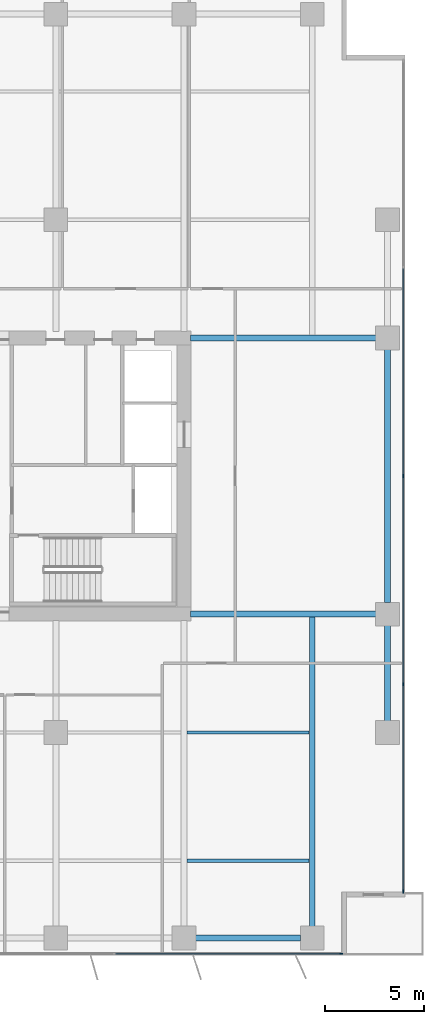
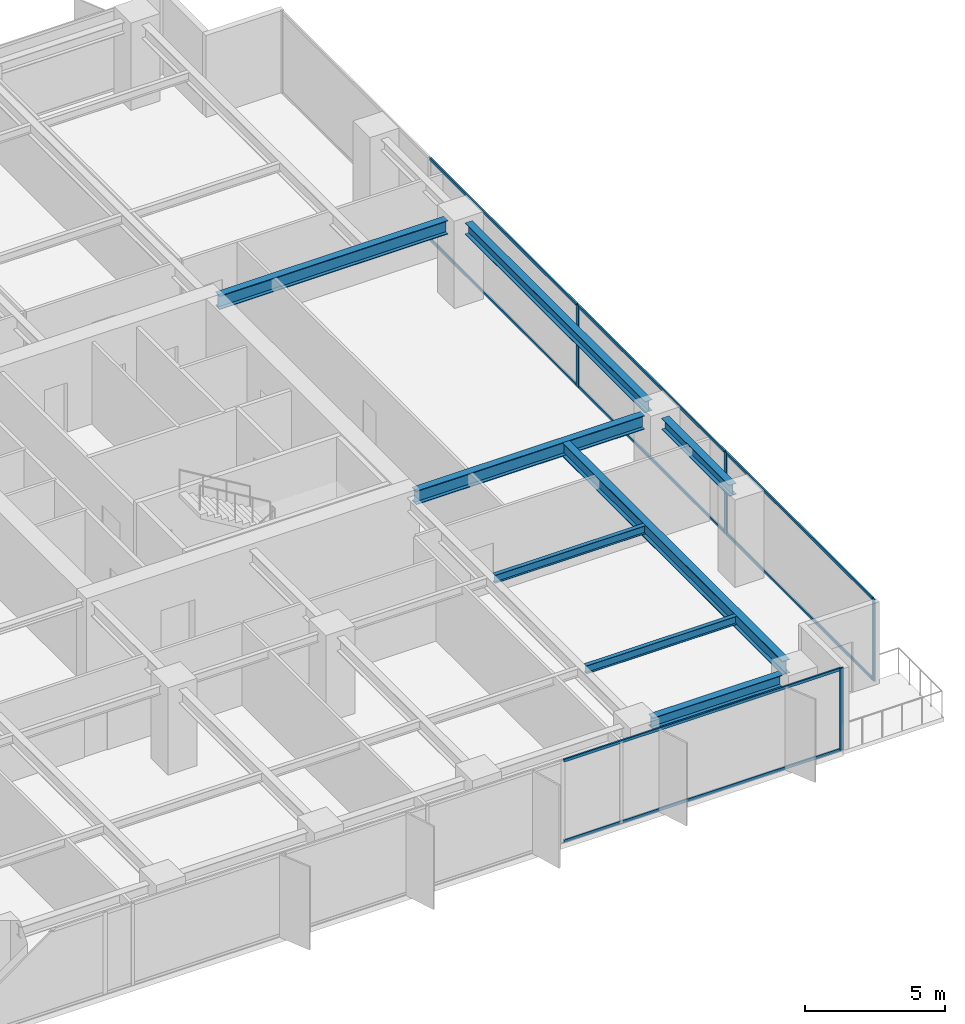
# One storey, part 10 of 20: 12 members, 8 beams, 2 elements without a shape of their own.
"""IFC4 building model written with IfcOpenShell, lengths in metres."""

from ifc_helpers import new_model, si_unit, direction, frame, origin, origin_2d, place, context, subcontext, project, spatial, rectangle, i_section, extrude, material, layer, layer_set, material_profile, profile_set, type_object, element, aggregate, save


model = new_model("IFC4")

# Units and contexts
model_context = context("Model", 3, precision=1e-05, world=origin(), true_north=direction((0.0, 1.0)))
body_context = subcontext(model_context, "Body", "Model", "MODEL_VIEW")
ifc_project = project(units=[si_unit("LENGTHUNIT", "METRE"), si_unit("AREAUNIT", "SQUARE_METRE"), si_unit("VOLUMEUNIT", "CUBIC_METRE"), si_unit("PLANEANGLEUNIT", "RADIAN"), si_unit("MASSUNIT", "GRAM", prefix="KILO")], contexts=[model_context])

# Site, building, storey
site_placement = place(None, origin())
site = spatial("IfcSite", under=ifc_project, at=site_placement, CompositionType="ELEMENT")
building_placement = place(site_placement, origin())
building = spatial("IfcBuilding", under=site, at=building_placement, Name="Putna Gate Headquarters", CompositionType="ELEMENT")
storey_placement = place(building_placement, frame((0.0, 0.0, 120.199951171875)))
storey = spatial("IfcBuildingStorey", under=building, at=storey_placement, Name="L29", CompositionType="ELEMENT", Elevation=120.199951171875)

# Beams
ifc_material_1 = material(Name="Steel S355J2", Category="steel")
ifc_material_profile_1 = material_profile(ifc_material_1, i_section(OverallWidth=0.300048828125, OverallDepth=0.60009765625, WebThickness=0.015380859375, FlangeThickness=0.030029296875, at=origin_2d()), Name="Steel S355J2")
ifc_profile_set_1 = profile_set([ifc_material_profile_1], Name="Steel S355J2")
beam_type_1 = type_object("IfcBeamType", Name="BM-GIRD-Z2-HEB600", PredefinedType="USERDEFINED", material=ifc_profile_set_1)
for number, where, z_axis, x_axis, name in (
    (1, (65.3349609375, 19.0, 3.26513671875), (1.0, 0.0, 0.0), (0.0, 1.0, 0.0), "L29 East Wing Girder Y19"),
    (2, (65.3349609375, 33.0, 3.26513671875), (1.0, 0.0, 0.0), (0.0, 1.0, 0.0), "L29 East Wing Girder Y33"),
):
    element("IfcBeam", number, at=place(storey_placement, frame(where, z_axis=z_axis, x_axis=x_axis)), inside=storey, type_object=beam_type_1, Name=name, ObjectType="GIRDER", PredefinedType="USERDEFINED", context=body_context, shape_type="SweptSolid", body=[
        extrude(i_section(OverallWidth=0.300048828125, OverallDepth=0.60009765625, WebThickness=0.015380859375, FlangeThickness=0.030029296875, at=origin_2d()), origin(), (0.0, 0.0, 1.0), 9.39697265625),
    ])
beam_1_placement = place(storey_placement, frame((71.5, 3.16796875, 3.26513671875), z_axis=(0.0, 1.0, 0.0), x_axis=(-1.0, 0.0, 0.0)))
element("IfcBeam", 3, at=beam_1_placement, inside=storey, type_object=beam_type_1, Name="L29 South Primary Girder X71", ObjectType="GIRDER", PredefinedType="USERDEFINED", context=body_context, shape_type="SweptSolid", body=[
    extrude(i_section(OverallWidth=0.300048828125, OverallDepth=0.60009765625, WebThickness=0.015380859375, FlangeThickness=0.030029296875, at=origin_2d()), origin(), (0.0, 0.0, 1.0), 15.820068359375),
])
ifc_material_profile_2 = material_profile(ifc_material_1, i_section(OverallWidth=0.169921875, OverallDepth=0.360107421875, WebThickness=0.008056640625, FlangeThickness=0.0126953125, at=origin_2d()), Name="Steel S355J2")
ifc_profile_set_2 = profile_set([ifc_material_profile_2], Name="Steel S355J2")
beam_type_2 = type_object("IfcBeamType", Name="BM-SEC-Z2-IPE360", PredefinedType="BEAM", material=ifc_profile_set_2)
for number, where, z_axis, x_axis, name in (
    (4, (65.154052734375, 6.5, 3.385009765625), (1.0, 0.0, 0.0), (0.0, 1.0, 0.0), "L29 South Secondary Beam 10"),
    (5, (65.154052734375, 13.0, 3.385009765625), (1.0, 0.0, 0.0), (0.0, 1.0, 0.0), "L29 South Secondary Beam 10"),
):
    element("IfcBeam", number, at=place(storey_placement, frame(where, z_axis=z_axis, x_axis=x_axis)), inside=storey, type_object=beam_type_2, Name=name, PredefinedType="BEAM", context=body_context, shape_type="SweptSolid", body=[
        extrude(i_section(OverallWidth=0.169921875, OverallDepth=0.360107421875, WebThickness=0.008056640625, FlangeThickness=0.0126953125, at=origin_2d()), origin(), (0.0, 0.0, 1.0), 6.19189453125),
    ])
ifc_material_profile_3 = material_profile(ifc_material_1, i_section(OverallWidth=0.300048828125, OverallDepth=0.489990234375, WebThickness=0.011962890625, FlangeThickness=0.02294921875, at=origin_2d()), Name="Steel S355J2")
ifc_profile_set_3 = profile_set([ifc_material_profile_3], Name="Steel S355J2")
beam_type_3 = type_object("IfcBeamType", Name="BM-SPAN-Z2-HEA500", PredefinedType="SPANDREL", material=ifc_profile_set_3)
beam_2_placement = place(storey_placement, frame((65.587890625, 2.580078125, 3.320068359375), z_axis=(1.0, 0.0, 0.0), x_axis=(0.0, 1.0, 0.0)))
element("IfcBeam", 6, at=beam_2_placement, inside=storey, type_object=beam_type_3, Name="L29 S Perimeter Spandrel 10", PredefinedType="SPANDREL", context=body_context, shape_type="SweptSolid", body=[
    extrude(i_section(OverallWidth=0.300048828125, OverallDepth=0.489990234375, WebThickness=0.011962890625, FlangeThickness=0.02294921875, at=origin_2d()), origin(), (0.0, 0.0, 1.0), 5.32421875),
])
beam_3_placement = place(storey_placement, frame((75.320068359375, 13.587890625, 3.320068359375), z_axis=(0.0, 1.0, 0.0), x_axis=(-1.0, 0.0, 0.0)))
element("IfcBeam", 7, at=beam_3_placement, inside=storey, type_object=beam_type_3, Name="L29 E End Spandrel 1", PredefinedType="SPANDREL", context=body_context, shape_type="SweptSolid", body=[
    extrude(i_section(OverallWidth=0.300048828125, OverallDepth=0.489990234375, WebThickness=0.011962890625, FlangeThickness=0.02294921875, at=origin_2d()), origin(), (0.0, 0.0, 1.0), 4.82421875),
])
beam_4_placement = place(storey_placement, frame((75.320068359375, 19.587890625, 3.320068359375), z_axis=(0.0, 1.0, 0.0), x_axis=(-1.0, 0.0, 0.0)))
element("IfcBeam", 8, at=beam_4_placement, inside=storey, type_object=beam_type_3, Name="L29 E End Spandrel 2", PredefinedType="SPANDREL", context=body_context, shape_type="SweptSolid", body=[
    extrude(i_section(OverallWidth=0.300048828125, OverallDepth=0.489990234375, WebThickness=0.011962890625, FlangeThickness=0.02294921875, at=origin_2d()), origin(), (0.0, 0.0, 1.0), 12.82421875),
])

# Curtain wall, member
ifc_material_2 = material(Name="Anodised bronze aluminium curtain wall", Category="aluminium")
ifc_layer = layer(ifc_material_2, 0.159912109375)
ifc_layer_set = layer_set([ifc_layer], Name="Anodised bronze aluminium curtain wall")
curtain_wall_type = type_object("IfcCurtainWallType", Name="CW-SYS-Z2", PredefinedType="USERDEFINED", material=ifc_layer_set)
curtain_wall_1_placement = place(storey_placement, origin())
curtain_wall_1 = element("IfcCurtainWall", 9, at=curtain_wall_1_placement, inside=storey, type_object=curtain_wall_type, Name="L29 South East Curtain Wall", ObjectType="STICK CURTAIN WALL", PredefinedType="USERDEFINED")
ifc_material_3 = material(Name="Anodised bronze aluminium EN AW-6060", Category="aluminium")
ifc_material_profile_4 = material_profile(ifc_material_3, rectangle(XDim=0.06494140625, YDim=0.159912109375, at=origin_2d()), Name="Anodised bronze aluminium EN AW-6060")
ifc_profile_set_4 = profile_set([ifc_material_profile_4], Name="Anodised bronze aluminium EN AW-6060")
member_type_1 = type_object("IfcMemberType", Name="MULL-CWM-2", PredefinedType="MULLION", material=ifc_profile_set_4)
member_1_placement = place(storey_placement, frame((72.967529296875, 1.780029296875, 0.0), z_axis=(0.0, 0.0, 1.0), x_axis=(0.0, 1.0, 0.0)))
member_1 = element("IfcMember", 10, at=member_1_placement, type_object=member_type_1, Name="CWS-2 mullion 3", PredefinedType="MULLION", context=body_context, shape_type="SweptSolid", body=[
    extrude(rectangle(XDim=0.06494140625, YDim=0.159912109375, at=origin_2d()), origin(), (0.0, 0.0, 1.0), 3.56494140625),
])

# Curtain wall, members
curtain_wall_2_placement = place(storey_placement, origin())
curtain_wall_2 = element("IfcCurtainWall", 11, at=curtain_wall_2_placement, inside=storey, type_object=curtain_wall_type, Name="L29 East Curtain Wall", ObjectType="STICK CURTAIN WALL", PredefinedType="USERDEFINED")
member_2_placement = place(storey_placement, frame((76.1201171875, 4.9326171875, 0.0), z_axis=(0.0, 0.0, 1.0), x_axis=(-1.0, 0.0, 0.0)))
member_2 = element("IfcMember", 12, at=member_2_placement, type_object=member_type_1, Name="CWS-2 mullion 1", PredefinedType="MULLION", context=body_context, shape_type="SweptSolid", body=[
    extrude(rectangle(XDim=0.06494140625, YDim=0.159912109375, at=origin_2d()), origin(), (0.0, 0.0, 1.0), 3.56494140625),
])
member_3_placement = place(storey_placement, frame((76.1201171875, 15.449951171875, 0.0), z_axis=(0.0, 0.0, 1.0), x_axis=(-1.0, 0.0, 0.0)))
member_3 = element("IfcMember", 13, at=member_3_placement, type_object=member_type_1, Name="CWS-2 mullion 2", PredefinedType="MULLION", context=body_context, shape_type="SweptSolid", body=[
    extrude(rectangle(XDim=0.06494140625, YDim=0.159912109375, at=origin_2d()), origin(), (0.0, 0.0, 1.0), 3.56494140625),
])
member_4_placement = place(storey_placement, frame((76.1201171875, 26.0, 0.0), z_axis=(0.0, 0.0, 1.0), x_axis=(-1.0, 0.0, 0.0)))
member_4 = element("IfcMember", 14, at=member_4_placement, type_object=member_type_1, Name="CWS-2 mullion 3", PredefinedType="MULLION", context=body_context, shape_type="SweptSolid", body=[
    extrude(rectangle(XDim=0.06494140625, YDim=0.159912109375, at=origin_2d()), origin(), (0.0, 0.0, 1.0), 3.56494140625),
])

# Member
ifc_material_profile_5 = material_profile(ifc_material_3, rectangle(XDim=0.06494140625, YDim=0.1201171875, at=origin_2d()), Name="Anodised bronze aluminium EN AW-6060")
ifc_profile_set_5 = profile_set([ifc_material_profile_5], Name="Anodised bronze aluminium EN AW-6060")
member_type_2 = type_object("IfcMemberType", Name="TRAN-CWT-2", PredefinedType="USERDEFINED", material=ifc_profile_set_5)
member_5_placement = place(storey_placement, frame((61.532470703125, 1.780029296875, 0.032470703125), z_axis=(1.0, 0.0, 0.0), x_axis=(0.0, 1.0, 0.0)))
member_5 = element("IfcMember", 15, at=member_5_placement, type_object=member_type_2, Name="CWS-2 transom 2.1", ObjectType="TRANSOM", PredefinedType="USERDEFINED", context=body_context, shape_type="SweptSolid", body=[
    extrude(rectangle(XDim=0.06494140625, YDim=0.1201171875, at=origin_2d()), origin(), (0.0, 0.0, 1.0), 11.402587890625),
])

member_6_placement = place(storey_placement, frame((61.532470703125, 1.780029296875, 3.532470703125), z_axis=(1.0, 0.0, 0.0), x_axis=(0.0, 1.0, 0.0)))
member_6 = element("IfcMember", 16, at=member_6_placement, type_object=member_type_2, Name="CWS-2 transom 2.2", ObjectType="TRANSOM", PredefinedType="USERDEFINED", context=body_context, shape_type="SweptSolid", body=[
    extrude(rectangle(XDim=0.06494140625, YDim=0.1201171875, at=origin_2d()), origin(), (0.0, 0.0, 1.0), 11.402587890625),
])

aggregate(curtain_wall_1, [member_1, member_5, member_6])

member_7_placement = place(storey_placement, frame((76.1201171875, 4.965087890625, 0.032470703125), z_axis=(0.0, 1.0, 0.0), x_axis=(-1.0, 0.0, 0.0)))
member_7 = element("IfcMember", 17, at=member_7_placement, type_object=member_type_2, Name="CWS-2 transom 1.1", ObjectType="TRANSOM", PredefinedType="USERDEFINED", context=body_context, shape_type="SweptSolid", body=[
    extrude(rectangle(XDim=0.06494140625, YDim=0.1201171875, at=origin_2d()), origin(), (0.0, 0.0, 1.0), 10.452392578125),
])

member_8_placement = place(storey_placement, frame((76.1201171875, 4.965087890625, 3.532470703125), z_axis=(0.0, 1.0, 0.0), x_axis=(-1.0, 0.0, 0.0)))
member_8 = element("IfcMember", 18, at=member_8_placement, type_object=member_type_2, Name="CWS-2 transom 1.2", ObjectType="TRANSOM", PredefinedType="USERDEFINED", context=body_context, shape_type="SweptSolid", body=[
    extrude(rectangle(XDim=0.06494140625, YDim=0.1201171875, at=origin_2d()), origin(), (0.0, 0.0, 1.0), 10.452392578125),
])

member_9_placement = place(storey_placement, frame((76.1201171875, 15.482421875, 0.032470703125), z_axis=(0.0, 1.0, 0.0), x_axis=(-1.0, 0.0, 0.0)))
member_9 = element("IfcMember", 19, at=member_9_placement, type_object=member_type_2, Name="CWS-2 transom 2.1", ObjectType="TRANSOM", PredefinedType="USERDEFINED", context=body_context, shape_type="SweptSolid", body=[
    extrude(rectangle(XDim=0.06494140625, YDim=0.1201171875, at=origin_2d()), origin(), (0.0, 0.0, 1.0), 10.485107421875),
])

member_10_placement = place(storey_placement, frame((76.1201171875, 15.482421875, 3.532470703125), z_axis=(0.0, 1.0, 0.0), x_axis=(-1.0, 0.0, 0.0)))
member_10 = element("IfcMember", 20, at=member_10_placement, type_object=member_type_2, Name="CWS-2 transom 2.2", ObjectType="TRANSOM", PredefinedType="USERDEFINED", context=body_context, shape_type="SweptSolid", body=[
    extrude(rectangle(XDim=0.06494140625, YDim=0.1201171875, at=origin_2d()), origin(), (0.0, 0.0, 1.0), 10.485107421875),
])

member_11_placement = place(storey_placement, frame((76.1201171875, 26.032470703125, 0.032470703125), z_axis=(0.0, 1.0, 0.0), x_axis=(-1.0, 0.0, 0.0)))
member_11 = element("IfcMember", 21, at=member_11_placement, type_object=member_type_2, Name="CWS-2 transom 3.1", ObjectType="TRANSOM", PredefinedType="USERDEFINED", context=body_context, shape_type="SweptSolid", body=[
    extrude(rectangle(XDim=0.06494140625, YDim=0.1201171875, at=origin_2d()), origin(), (0.0, 0.0, 1.0), 10.485107421875),
])

member_12_placement = place(storey_placement, frame((76.1201171875, 26.032470703125, 3.532470703125), z_axis=(0.0, 1.0, 0.0), x_axis=(-1.0, 0.0, 0.0)))
member_12 = element("IfcMember", 22, at=member_12_placement, type_object=member_type_2, Name="CWS-2 transom 3.2", ObjectType="TRANSOM", PredefinedType="USERDEFINED", context=body_context, shape_type="SweptSolid", body=[
    extrude(rectangle(XDim=0.06494140625, YDim=0.1201171875, at=origin_2d()), origin(), (0.0, 0.0, 1.0), 10.485107421875),
])

aggregate(curtain_wall_2, [member_2, member_3, member_4, member_7, member_8, member_9, member_10, member_11, member_12])

save(model, "model.ifc")
